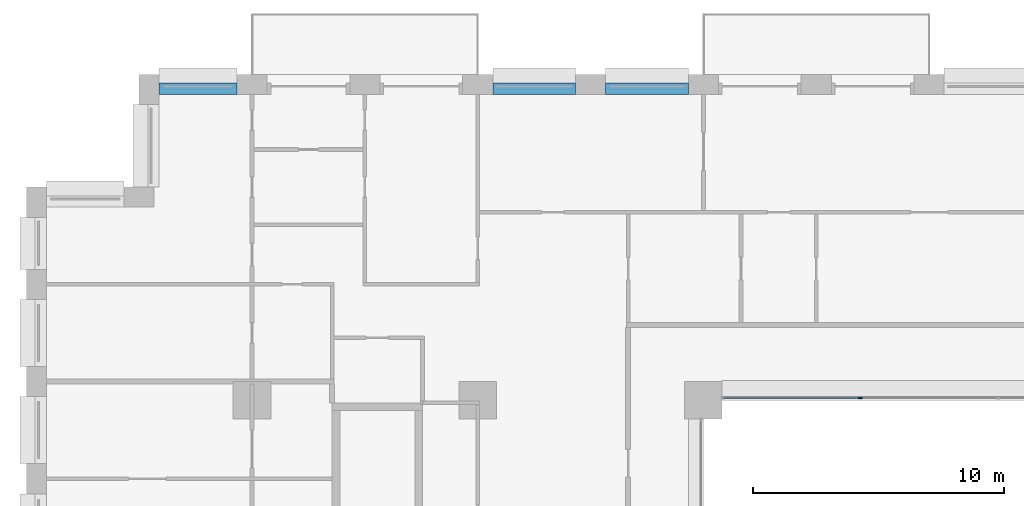
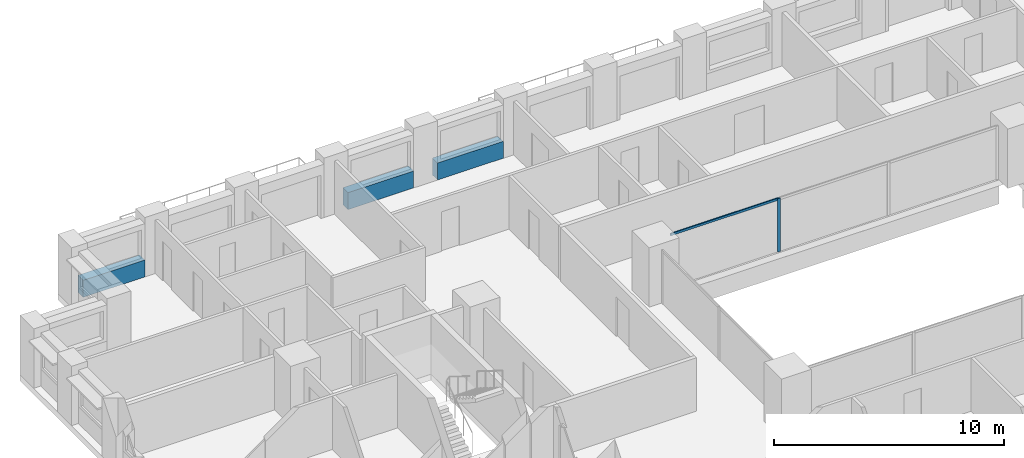
# One storey, part 6 of 19: 3 beams, 2 members, 1 element without a shape of its own.
"""IFC4 building model written with IfcOpenShell, lengths in metres."""

from ifc_helpers import new_model, si_unit, direction, frame, origin, origin_2d, place, context, subcontext, project, spatial, rectangle, extrude, material, layer, layer_set, material_profile, profile_set, type_object, element, aggregate, save


model = new_model("IFC4")

# Units and contexts
model_context = context("Model", 3, precision=1e-05, world=origin(), true_north=direction((0.0, 1.0)))
body_context = subcontext(model_context, "Body", "Model", "MODEL_VIEW")
ifc_project = project(units=[si_unit("LENGTHUNIT", "METRE"), si_unit("AREAUNIT", "SQUARE_METRE"), si_unit("VOLUMEUNIT", "CUBIC_METRE"), si_unit("PLANEANGLEUNIT", "RADIAN"), si_unit("MASSUNIT", "GRAM", prefix="KILO")], contexts=[model_context])

# Site, building, storey
site_placement = place(None, origin())
site = spatial("IfcSite", under=ifc_project, at=site_placement, CompositionType="ELEMENT")
building_placement = place(site_placement, origin())
building = spatial("IfcBuilding", under=site, at=building_placement, Name="Brigalow Station Residences", CompositionType="ELEMENT")
storey_placement = place(building_placement, frame((0.0, 0.0, 28.949951171875)))
storey = spatial("IfcBuildingStorey", under=building, at=storey_placement, Name="L07", CompositionType="ELEMENT", Elevation=28.949951171875)

# Curtain wall, members
ifc_material_1 = material(Name="Aluminium", Category="aluminium")
ifc_layer = layer(ifc_material_1, 0.14990234375)
ifc_layer_set = layer_set([ifc_layer], Name="ATRIUM FIRE-RATED GLAZING CURTAIN WALL")
curtain_wall_type = type_object("IfcCurtainWallType", Name="ATRIUM FIRE-RATED GLAZING CURTAIN WALL", PredefinedType="NOTDEFINED", material=ifc_layer_set)
curtain_wall_placement = place(storey_placement, origin())
curtain_wall = element("IfcCurtainWall", 1, at=curtain_wall_placement, inside=storey, type_object=curtain_wall_type, Name="L07/cw/atrium-N", PredefinedType="NOTDEFINED")
ifc_material_2 = material(Name="Aluminium", Category="aluminium")
ifc_material_profile_1 = material_profile(ifc_material_2, rectangle(XDim=0.06005859375, YDim=0.14990234375, at=origin_2d()), Name="ATRIUM FIRE-RATED GLAZING MULLION 60x150")
ifc_profile_set_1 = profile_set([ifc_material_profile_1], Name="Aluminium")
member_type_1 = type_object("IfcMemberType", Name="ATRIUM FIRE-RATED GLAZING MULLION 60x150", PredefinedType="MULLION", material=ifc_profile_set_1)
member_1_placement = place(storey_placement, frame((33.25, 35.60009765625, 0.0), z_axis=(0.0, 0.0, 1.0), x_axis=(0.0, -1.0, 0.0)))
member_1 = element("IfcMember", 2, at=member_1_placement, type_object=member_type_1, Name="L07/cw/atrium-N/M02", PredefinedType="MULLION", context=body_context, shape_type="SweptSolid", body=[
    extrude(rectangle(XDim=0.06005859375, YDim=0.14990234375, at=origin_2d()), origin(), (0.0, 0.0, 1.0), 2.830078125),
])
ifc_material_3 = material(Name="Aluminium", Category="aluminium")
ifc_material_profile_2 = material_profile(ifc_material_3, rectangle(XDim=0.06005859375, YDim=0.1201171875, at=origin_2d()), Name="ATRIUM FIRE-RATED GLAZING TRANSOM 60x120")
ifc_profile_set_2 = profile_set([ifc_material_profile_2], Name="Aluminium")
member_type_2 = type_object("IfcMemberType", Name="ATRIUM FIRE-RATED GLAZING TRANSOM 60x120", PredefinedType="USERDEFINED", material=ifc_profile_set_2)
member_2_placement = place(storey_placement, frame((33.219970703125, 35.60009765625, 2.800048828125), z_axis=(-1.0, 0.0, 0.0), x_axis=(0.0, -1.0, 0.0)))
member_2 = element("IfcMember", 3, at=member_2_placement, type_object=member_type_2, Name="L07/cw/atrium-N/T02-00", ObjectType="TRANSOM", PredefinedType="USERDEFINED", context=body_context, shape_type="SweptSolid", body=[
    extrude(rectangle(XDim=0.06005859375, YDim=0.1201171875, at=origin_2d()), origin(), (0.0, 0.0, 1.0), 5.409912109375),
])
aggregate(curtain_wall, [member_1, member_2])

# Beams
ifc_material_4 = material(Name="Concrete C65", Category="concrete")
ifc_material_profile_3 = material_profile(ifc_material_4, rectangle(XDim=0.449951171875, YDim=0.89990234375, at=origin_2d()), Name="RC450x900")
ifc_profile_set_3 = profile_set([ifc_material_profile_3], Name="Concrete C65")
beam_type = type_object("IfcBeamType", Name="SPANDREL BEAM 450x900 C65", PredefinedType="SPANDREL", material=ifc_profile_set_3)
for number, where, z_axis, x_axis, name in (
    (4, (26.39990234375, 47.925048828125, 0.449951171875), (-1.0, 0.0, 0.0), (0.0, -1.0, 0.0), "L07/spandrel/W-L07-35"),
    (5, (21.89990234375, 47.925048828125, 0.449951171875), (-1.0, 0.0, 0.0), (0.0, -1.0, 0.0), "L07/spandrel/W-L07-36"),
):
    element("IfcBeam", number, at=place(storey_placement, frame(where, z_axis=z_axis, x_axis=x_axis)), inside=storey, type_object=beam_type, Name=name, PredefinedType="SPANDREL", context=body_context, shape_type="SweptSolid", body=[
        extrude(rectangle(XDim=0.449951171875, YDim=0.89990234375, at=origin_2d()), origin(), (0.0, 0.0, 1.0), 3.2998046875),
    ])
beam_placement = place(storey_placement, frame((8.39990234375, 47.925048828125, 0.449951171875), z_axis=(-1.0, 0.0, 0.0), x_axis=(0.0, -1.0, 0.0)))
element("IfcBeam", 6, at=beam_placement, inside=storey, type_object=beam_type, Name="L07/spandrel/W-L07-39", PredefinedType="SPANDREL", context=body_context, shape_type="SweptSolid", body=[
    extrude(rectangle(XDim=0.449951171875, YDim=0.89990234375, at=origin_2d()), origin(), (0.0, 0.0, 1.0), 3.099853515625),
])

save(model, "model.ifc")
